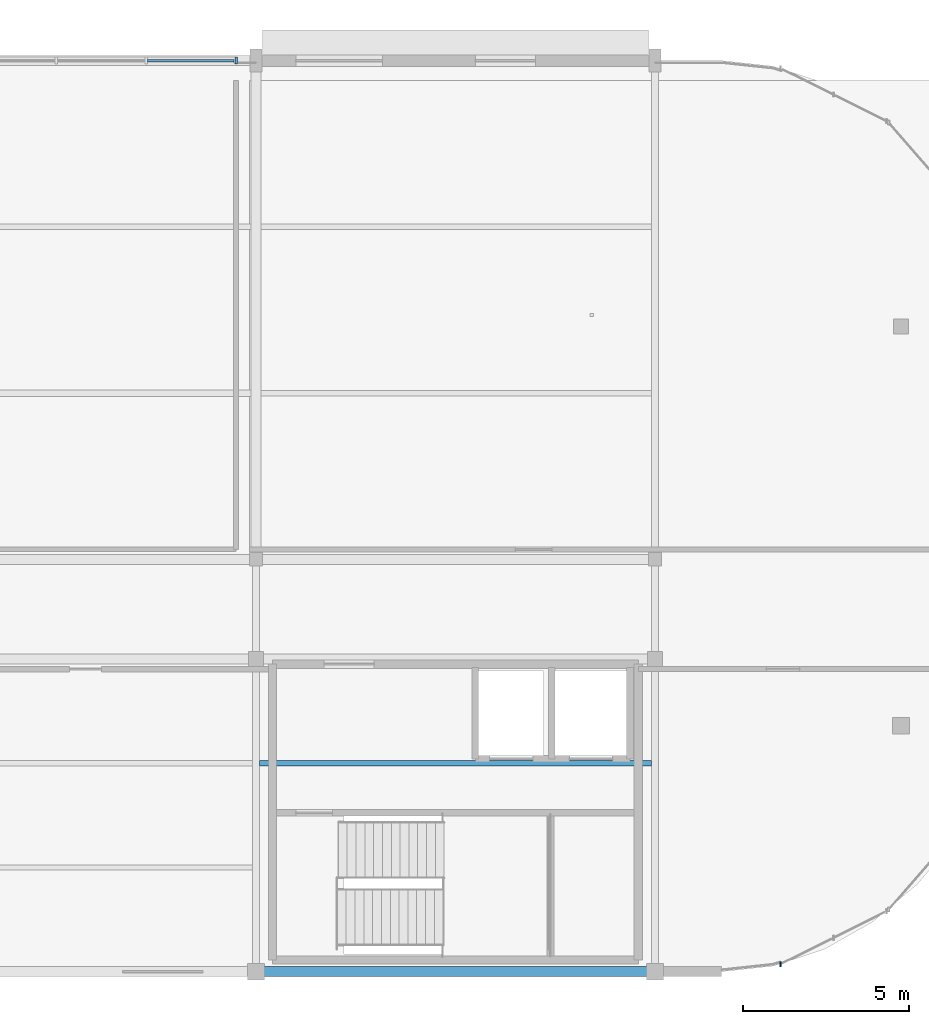
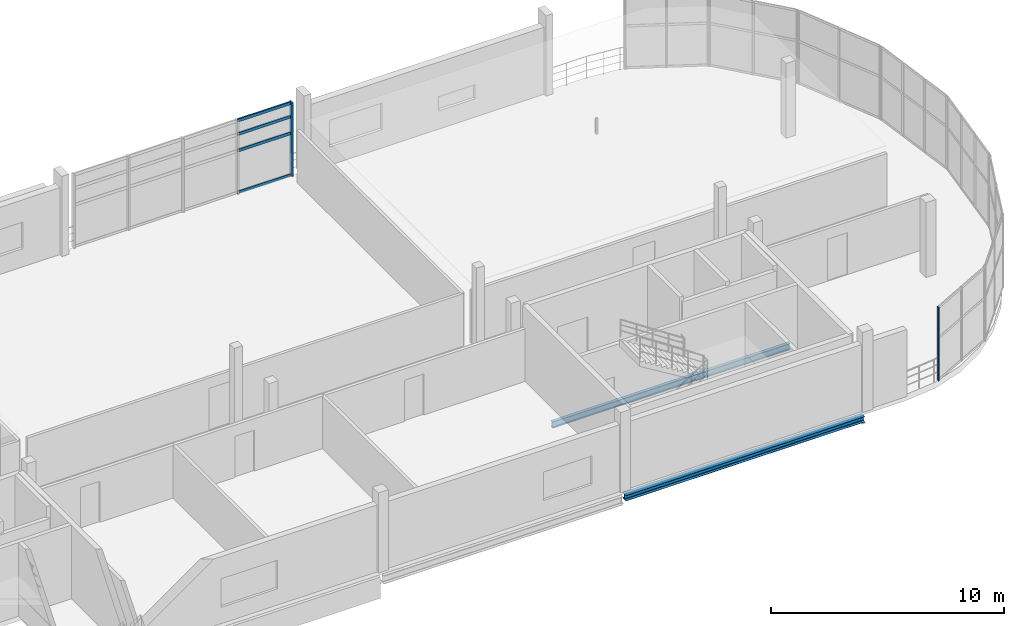
# One storey, part 3 of 13: 6 members, 2 beams, 2 elements without a shape of their own.
"""IFC4 building model written with IfcOpenShell, lengths in metres."""

from ifc_helpers import new_model, si_unit, direction, frame, origin, origin_2d, place, context, subcontext, project, spatial, rectangle, i_section, extrude, material, material_profile, profile_set, type_object, element, aggregate, save


model = new_model("IFC4")

# Units and contexts
model_context = context("Model", 3, precision=1e-05, world=origin(), true_north=direction((0.0, 1.0)))
body_context = subcontext(model_context, "Body", "Model", "MODEL_VIEW")
ifc_project = project(units=[si_unit("LENGTHUNIT", "METRE"), si_unit("AREAUNIT", "SQUARE_METRE"), si_unit("VOLUMEUNIT", "CUBIC_METRE"), si_unit("PLANEANGLEUNIT", "RADIAN"), si_unit("MASSUNIT", "GRAM", prefix="KILO"), si_unit("THERMODYNAMICTEMPERATUREUNIT", "KELVIN"), si_unit("POWERUNIT", "WATT")], contexts=[model_context])

# Site, building, storey
site_placement = place(None, origin())
site = spatial("IfcSite", under=ifc_project, at=site_placement, CompositionType="ELEMENT")
building_placement = place(site_placement, origin())
building = spatial("IfcBuilding", under=site, at=building_placement, Name="Solmara Park Aquatics Centre", CompositionType="ELEMENT")
storey_placement = place(building_placement, frame((0.0, 0.0, 14.39990234375)))
storey = spatial("IfcBuildingStorey", under=building, at=storey_placement, Name="L03", CompositionType="ELEMENT", Elevation=14.39990234375)

# Curtain wall, member
ifc_material_1 = material(Name="Anodised Aluminium Curtain Wall Framing", Category="aluminium")
curtain_wall_type_1 = type_object("IfcCurtainWallType", Name="ARC-CW-SYS06", PredefinedType="USERDEFINED", material=ifc_material_1)
curtain_wall_1_placement = place(storey_placement, origin())
curtain_wall_1 = element("IfcCurtainWall", 1, at=curtain_wall_1_placement, inside=storey, type_object=curtain_wall_type_1, Name="Curtain Wall CW-146", ObjectType="CURTAIN WALL", PredefinedType="USERDEFINED")
ifc_material_2 = material(Name="Anodised Aluminium Alloy 6063-T6", Category="aluminium")
ifc_material_profile_1 = material_profile(ifc_material_2, rectangle(XDim=0.054931640625, YDim=0.139892578125, at=origin_2d()), Name="ALU MULLION 55x140")
ifc_profile_set_1 = profile_set([ifc_material_profile_1], Name="Anodised Aluminium Alloy 6063-T6")
member_type_1 = type_object("IfcMemberType", Name="ARC-CWM-55x140", PredefinedType="MULLION", material=ifc_profile_set_1)
member_1_placement = place(storey_placement, frame((100.372314453125, 108.825927734375, 0.0), z_axis=(0.0, 0.0, 1.0), x_axis=(1.0, 0.0, 0.0)))
member_1 = element("IfcMember", 2, at=member_1_placement, type_object=member_type_1, Name="CW-146 mullion 1", PredefinedType="MULLION", context=body_context, shape_type="SweptSolid", body=[
    extrude(rectangle(XDim=0.054931640625, YDim=0.139892578125, at=origin_2d()), origin(), (0.0, 0.0, 1.0), 3.860107421875),
])
aggregate(curtain_wall_1, [member_1])

# Curtain wall, members
curtain_wall_type_2 = type_object("IfcCurtainWallType", Name="ARC-CW-SYS04", PredefinedType="USERDEFINED", material=ifc_material_1)
curtain_wall_2_placement = place(storey_placement, origin())
curtain_wall_2 = element("IfcCurtainWall", 3, at=curtain_wall_2_placement, inside=storey, type_object=curtain_wall_type_2, Name="Curtain Wall CW-131", ObjectType="CURTAIN WALL", PredefinedType="USERDEFINED")
ifc_material_profile_2 = material_profile(ifc_material_2, rectangle(XDim=0.074951171875, YDim=0.219970703125, at=origin_2d()), Name="ALU MULLION 75x220")
ifc_profile_set_2 = profile_set([ifc_material_profile_2], Name="Anodised Aluminium Alloy 6063-T6")
member_type_2 = type_object("IfcMemberType", Name="ARC-CWM-75x220", PredefinedType="MULLION", material=ifc_profile_set_2)
member_2_placement = place(storey_placement, frame((84.0, 136.0, 0.0), z_axis=(0.0, 0.0, 1.0), x_axis=(1.0, 0.0, 0.0)))
member_2 = element("IfcMember", 4, at=member_2_placement, type_object=member_type_2, Name="CW-131 mullion 5", PredefinedType="MULLION", context=body_context, shape_type="SweptSolid", body=[
    extrude(rectangle(XDim=0.074951171875, YDim=0.219970703125, at=origin_2d()), origin(), (0.0, 0.0, 1.0), 3.85009765625),
])
ifc_material_profile_3 = material_profile(ifc_material_2, rectangle(XDim=0.074951171875, YDim=0.14990234375, at=origin_2d()), Name="ALU TRANSOM 75x150")
ifc_profile_set_3 = profile_set([ifc_material_profile_3], Name="Anodised Aluminium Alloy 6063-T6")
member_type_3 = type_object("IfcMemberType", Name="ARC-CWT-75x150", PredefinedType="USERDEFINED", material=ifc_profile_set_3)
member_3_placement = place(storey_placement, frame((81.320068359375, 136.0, 0.0400390625), z_axis=(1.0, 0.0, 0.0), x_axis=(0.0, 1.0, 0.0)))
member_3 = element("IfcMember", 5, at=member_3_placement, type_object=member_type_3, Name="CW-131 transom 13", ObjectType="TRANSOM", PredefinedType="USERDEFINED", context=body_context, shape_type="SweptSolid", body=[
    extrude(rectangle(XDim=0.074951171875, YDim=0.14990234375, at=origin_2d()), origin(), (0.0, 0.0, 1.0), 2.619873046875),
])
member_4_placement = place(storey_placement, frame((81.320068359375, 136.0, 2.233154296875), z_axis=(1.0, 0.0, 0.0), x_axis=(0.0, 1.0, 0.0)))
member_4 = element("IfcMember", 6, at=member_4_placement, type_object=member_type_3, Name="CW-131 transom 14", ObjectType="TRANSOM", PredefinedType="USERDEFINED", context=body_context, shape_type="SweptSolid", body=[
    extrude(rectangle(XDim=0.074951171875, YDim=0.14990234375, at=origin_2d()), origin(), (0.0, 0.0, 1.0), 2.619873046875),
])
member_5_placement = place(storey_placement, frame((81.320068359375, 136.0, 3.10009765625), z_axis=(1.0, 0.0, 0.0), x_axis=(0.0, 1.0, 0.0)))
member_5 = element("IfcMember", 7, at=member_5_placement, type_object=member_type_3, Name="CW-131 transom 15", ObjectType="TRANSOM", PredefinedType="USERDEFINED", context=body_context, shape_type="SweptSolid", body=[
    extrude(rectangle(XDim=0.074951171875, YDim=0.14990234375, at=origin_2d()), origin(), (0.0, 0.0, 1.0), 2.619873046875),
])
member_6_placement = place(storey_placement, frame((81.320068359375, 136.0, 3.81005859375), z_axis=(1.0, 0.0, 0.0), x_axis=(0.0, 1.0, 0.0)))
member_6 = element("IfcMember", 8, at=member_6_placement, type_object=member_type_3, Name="CW-131 transom 16", ObjectType="TRANSOM", PredefinedType="USERDEFINED", context=body_context, shape_type="SweptSolid", body=[
    extrude(rectangle(XDim=0.074951171875, YDim=0.14990234375, at=origin_2d()), origin(), (0.0, 0.0, 1.0), 2.619873046875),
])
aggregate(curtain_wall_2, [member_2, member_3, member_4, member_5, member_6])

# Beams
ifc_material_3 = material(Name="Structural Steel S355", Category="steel")
ifc_material_profile_4 = material_profile(ifc_material_3, i_section(OverallWidth=0.159912109375, OverallDepth=0.330078125, WebThickness=0.007568359375, FlangeThickness=0.011474609375, FilletRadius=0.01806640625, at=origin_2d()), Name="IPE 330")
ifc_profile_set_4 = profile_set([ifc_material_profile_4], Name="Structural Steel S355")
beam_type_1 = type_object("IfcBeamType", Name="STR-JST-IPE330", PredefinedType="JOIST", material=ifc_profile_set_4)
beam_1_placement = place(storey_placement, frame((84.705078125, 114.86669921875, -0.48486328125), z_axis=(1.0, 0.0, 0.0), x_axis=(0.0, 1.0, 0.0)))
element("IfcBeam", 9, at=beam_1_placement, inside=storey, type_object=beam_type_1, Name="Floor Joist JST-L03-0261", PredefinedType="JOIST", context=body_context, shape_type="SweptSolid", body=[
    extrude(i_section(OverallWidth=0.159912109375, OverallDepth=0.330078125, WebThickness=0.007568359375, FlangeThickness=0.011474609375, FilletRadius=0.01806640625, at=origin_2d()), origin(), (0.0, 0.0, 1.0), 11.7900390625),
])
ifc_material_profile_5 = material_profile(ifc_material_3, i_section(OverallWidth=0.300048828125, OverallDepth=0.2900390625, WebThickness=0.008544921875, FlangeThickness=0.013916015625, FilletRadius=0.027099609375, at=origin_2d()), Name="HEA 300")
ifc_profile_set_5 = profile_set([ifc_material_profile_5], Name="Structural Steel S355")
beam_type_2 = type_object("IfcBeamType", Name="STR-SPD-HEA300", PredefinedType="SPANDREL", material=ifc_profile_set_5)
beam_2_placement = place(storey_placement, frame((84.679931640625, 108.60009765625, -0.46484375), z_axis=(1.0, 0.0, 0.0), x_axis=(0.0, 1.0, 0.0)))
element("IfcBeam", 10, at=beam_2_placement, inside=storey, type_object=beam_type_2, Name="Girder BM-L03-0440", PredefinedType="SPANDREL", context=body_context, shape_type="SweptSolid", body=[
    extrude(i_section(OverallWidth=0.300048828125, OverallDepth=0.2900390625, WebThickness=0.008544921875, FlangeThickness=0.013916015625, FilletRadius=0.027099609375, at=origin_2d()), origin(), (0.0, 0.0, 1.0), 11.840087890625),
])

save(model, "model.ifc")
